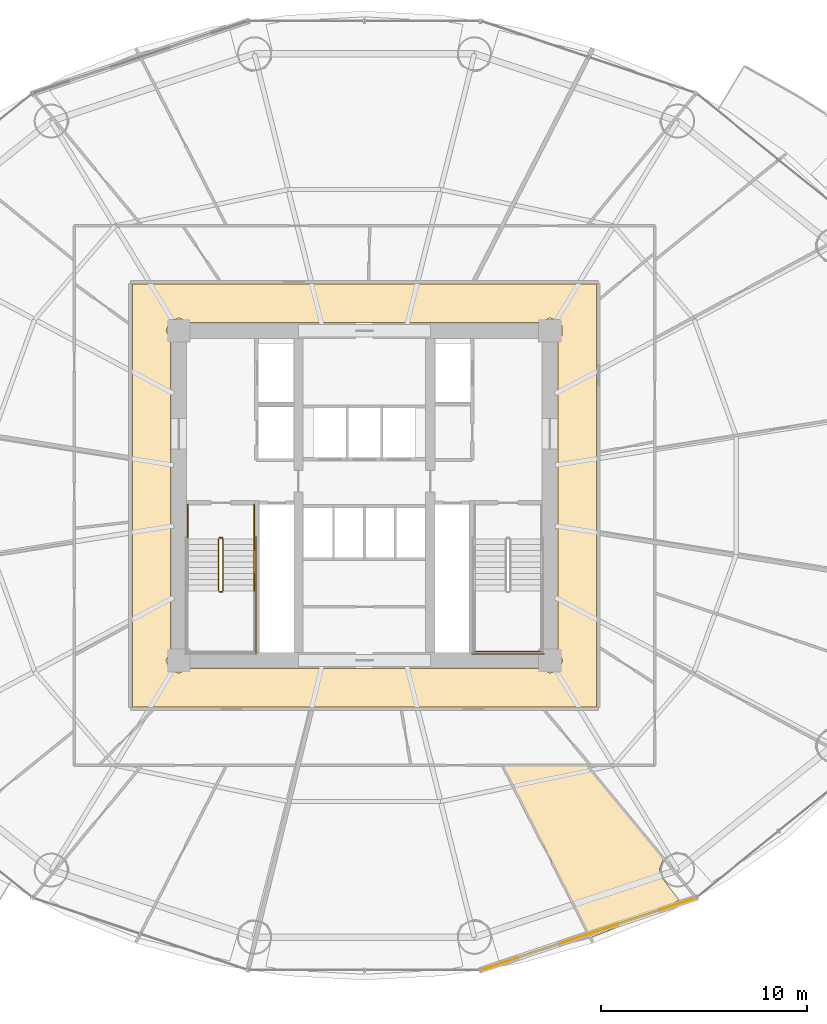
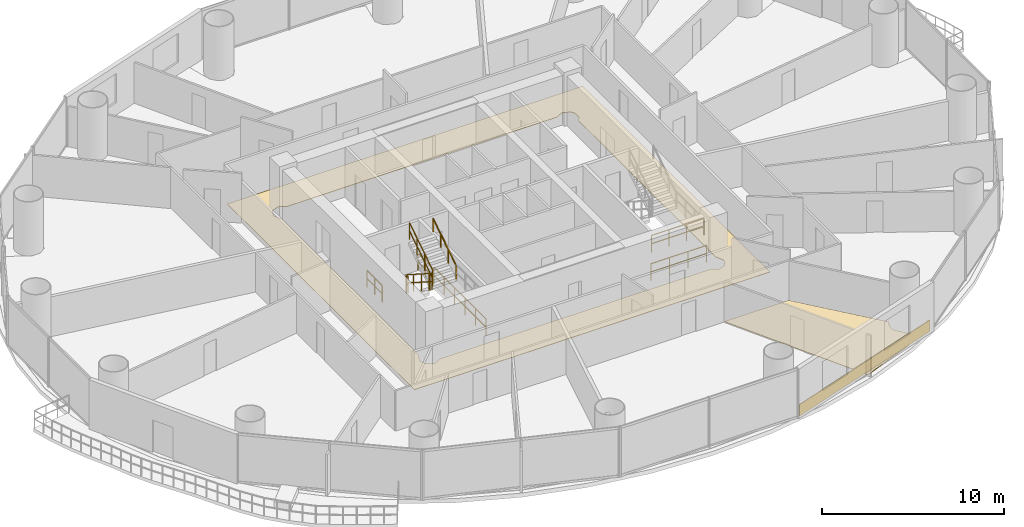
# One storey, part 28 of 30: 10 railings, 3 coverings.
"""IFC4 building model written with IfcOpenShell, lengths in metres."""

from ifc_helpers import new_model, si_unit, direction, frame, origin, origin_2d, place, context, subcontext, project, spatial, polyline, rectangle, outline, extrude, source, transform, mapped, material, layer, layer_set, type_object, element, save


model = new_model("IFC4")

# Units and contexts
model_context = context("Model", 3, precision=1e-05, world=origin(), true_north=direction((-0.2419218956, 0.970295726276)))
body_context = subcontext(model_context, "Body", "Model", "MODEL_VIEW")
ifc_project = project(units=[si_unit("LENGTHUNIT", "METRE"), si_unit("AREAUNIT", "SQUARE_METRE"), si_unit("VOLUMEUNIT", "CUBIC_METRE"), si_unit("PLANEANGLEUNIT", "RADIAN"), si_unit("MASSUNIT", "GRAM", prefix="KILO")], contexts=[model_context])

# Site, building, storey
site_placement = place(None, origin())
site = spatial("IfcSite", under=ifc_project, at=site_placement, CompositionType="ELEMENT")
building_placement = place(site_placement, origin())
building = spatial("IfcBuilding", under=site, at=building_placement, Name="Cobrevalo Terracotta Tower", CompositionType="ELEMENT")
storey_placement = place(building_placement, frame((0.0, 0.0, 31.199951171875)))
storey = spatial("IfcBuildingStorey", under=building, at=storey_placement, Name="L07", CompositionType="ELEMENT", Elevation=31.199951171875)

# Coverings
ifc_material_1 = material(Name="Engineered Brazilian hardwood flooring", Category="wood")
ifc_layer_1 = layer(ifc_material_1, 0.028076171875)
ifc_layer_set_1 = layer_set([ifc_layer_1], Name="Engineered Brazilian hardwood flooring")
covering_type_1 = type_object("IfcCoveringType", Name="Engineered Hardwood Suite Flooring 28", PredefinedType="FLOORING", material=ifc_layer_set_1)
covering_1_placement = place(storey_placement, origin())
element("IfcCovering", 1, at=covering_1_placement, inside=storey, type_object=covering_type_1, Name="Flat L07D Master Bedroom floor finish", PredefinedType="FLOORING", context=body_context, shape_type="SweptSolid", body=[
    extrude(outline(polyline([(48.9873046875, 5.3486328125), (44.72119140625, 13.695068359375), (48.780029296875, 13.695068359375), (52.5048828125, 9.177490234375), (52.318115234375, 8.71044921875), (52.35498046875, 8.369140625), (53.26318359375, 7.178955078125), (52.361572265625, 6.691650390625), (48.9873046875, 5.3486328125)])), origin(), (0.0, 0.0, 1.0), 0.030029296875),
])
ifc_material_2 = material(Name="Honed terracotta and granite tile", Category="masonry")
ifc_layer_2 = layer(ifc_material_2, 0.034912109375)
ifc_layer_set_2 = layer_set([ifc_layer_2], Name="Honed terracotta and granite tile")
covering_type_2 = type_object("IfcCoveringType", Name="Honed Terracotta & Granite Interior Flooring 35", PredefinedType="FLOORING", material=ifc_layer_set_2)
covering_2_placement = place(storey_placement, origin())
element("IfcCovering", 2, at=covering_2_placement, inside=storey, type_object=covering_type_2, Name="L07 Residential Floor Corridor floor finish", PredefinedType="FLOORING", context=body_context, shape_type="SweptSolid", body=[
    extrude(outline(polyline([(49.2548828125, 37.054931640625), (49.2548828125, 16.544921875), (26.7451171875, 16.544921875), (26.7451171875, 37.054931640625), (49.2548828125, 37.054931640625)]), holes=[polyline([(47.39501953125, 34.33203125), (47.5732421875, 34.5625), (47.5732421875, 35.037353515625), (47.438720703125, 35.23876953125), (47.0, 35.42041015625), (46.5322265625, 35.195068359375), (29.4677734375, 35.195068359375), (29.0, 35.42041015625), (28.561279296875, 35.23876953125), (28.379638671875, 34.800048828125), (28.60498046875, 34.33203125), (28.60498046875, 19.267822265625), (28.379638671875, 18.800048828125), (28.561279296875, 18.361328125), (29.0, 18.1796875), (29.4677734375, 18.405029296875), (46.5322265625, 18.405029296875), (47.0, 18.1796875), (47.438720703125, 18.361328125), (47.620361328125, 18.800048828125), (47.39501953125, 19.267822265625), (47.39501953125, 34.33203125)])]), origin(), (0.0, 0.0, 1.0), 0.030029296875),
])

# Railings
ifc_material_3 = material(Name="Brushed stainless steel", Category="steel")
railing_type_1 = type_object("IfcRailingType", Name="Stainless Steel Stair Handrail 900", PredefinedType="HANDRAIL", material=ifc_material_3)
railing_1_placement = place(storey_placement, frame((32.64501953125, 22.179931640625, 1.97998046875)))
element("IfcRailing", 3, at=railing_1_placement, inside=storey, type_object=railing_type_1, Name="L07 ST-1 stair handrail 2", PredefinedType="HANDRAIL", context=body_context, shape_type="SweptSolid", body=[
    extrude(rectangle(XDim=0.048095703125, YDim=0.048095703125, at=origin_2d()), frame((0.0, 0.0, 0.8759765625), z_axis=(0.0, 0.841162588446, 0.540782303519), x_axis=(-1.0, 0.0, 0.0)), (0.0, 0.0, 1.0), 2.995849609375),
    extrude(rectangle(XDim=0.0419921875, YDim=0.0419921875, at=origin_2d()), origin(), (0.0, 0.0, 1.0), 0.851806640625),
    extrude(rectangle(XDim=0.0419921875, YDim=0.0419921875, at=origin_2d()), frame((0.0, 0.840087890625, 0.5400390625)), (0.0, 0.0, 1.0), 0.851806640625),
    extrude(rectangle(XDim=0.0419921875, YDim=0.0419921875, at=origin_2d()), frame((0.0, 1.679931640625, 1.080078125)), (0.0, 0.0, 1.0), 0.851806640625),
    extrude(rectangle(XDim=0.0419921875, YDim=0.0419921875, at=origin_2d()), frame((0.0, 2.52001953125, 1.6201171875)), (0.0, 0.0, 1.0), 0.851806640625),
])
ifc_material_4 = material(Name="Painted galvanized steel", Category="steel")
railing_type_2 = type_object("IfcRailingType", Name="Stair Well Guard Balustrade 1150", PredefinedType="GUARDRAIL", material=ifc_material_4)
railing_2_placement = place(storey_placement, frame((30.925048828125, 24.699951171875, 0.179931640625)))
element("IfcRailing", 4, at=railing_2_placement, inside=storey, type_object=railing_type_2, Name="L07 ST-1 stair guard 1", PredefinedType="GUARDRAIL", context=body_context, shape_type="SweptSolid", body=[
    extrude(rectangle(XDim=0.048095703125, YDim=0.048095703125, at=origin_2d()), frame((0.0, 0.0, 1.1259765625), z_axis=(0.0, -0.841162588446, 0.540782303519), x_axis=(1.0, 0.0, 0.0)), (0.0, 0.0, 1.0), 2.995849609375),
    extrude(rectangle(XDim=0.048095703125, YDim=0.048095703125, at=origin_2d()), frame((0.0, 0.0, 0.574951171875), z_axis=(0.0, -0.841162588446, 0.540782303519), x_axis=(1.0, 0.0, 0.0)), (0.0, 0.0, 1.0), 2.995849609375),
    extrude(rectangle(XDim=0.0419921875, YDim=0.0419921875, at=origin_2d()), origin(), (0.0, 0.0, 1.0), 1.101806640625),
    extrude(rectangle(XDim=0.0419921875, YDim=0.0419921875, at=origin_2d()), frame((0.0, -0.840087890625, 0.5400390625)), (0.0, 0.0, 1.0), 1.101806640625),
    extrude(rectangle(XDim=0.0419921875, YDim=0.0419921875, at=origin_2d()), frame((0.0, -1.679931640625, 1.080078125)), (0.0, 0.0, 1.0), 1.101806640625),
    extrude(rectangle(XDim=0.0419921875, YDim=0.0419921875, at=origin_2d()), frame((0.0, -2.52001953125, 1.6201171875)), (0.0, 0.0, 1.0), 1.101806640625),
])
railing_3_placement = place(storey_placement, frame((30.97509765625, 22.1298828125, 1.800048828125)))
element("IfcRailing", 5, at=railing_3_placement, inside=storey, type_object=railing_type_2, Name="L07 ST-1 stair guard 2", PredefinedType="GUARDRAIL", context=body_context, shape_type="SweptSolid", body=[
    extrude(rectangle(XDim=0.048095703125, YDim=0.048095703125, at=origin_2d()), frame((0.0, 0.0, 1.1259765625), z_axis=(1.0, 0.0, 0.0), x_axis=(0.0, 1.0, 0.0)), (0.0, 0.0, 1.0), 0.119873046875),
    extrude(rectangle(XDim=0.048095703125, YDim=0.048095703125, at=origin_2d()), frame((0.0, 0.0, 0.574951171875), z_axis=(1.0, 0.0, 0.0), x_axis=(0.0, 1.0, 0.0)), (0.0, 0.0, 1.0), 0.119873046875),
    extrude(rectangle(XDim=0.0419921875, YDim=0.0419921875, at=origin_2d()), origin(), (0.0, 0.0, 1.0), 1.101806640625),
    extrude(rectangle(XDim=0.0419921875, YDim=0.0419921875, at=origin_2d()), frame((0.119873046875, 0.0, 0.0)), (0.0, 0.0, 1.0), 1.101806640625),
])
railing_4_placement = place(storey_placement, frame((31.14501953125, 22.179931640625, 1.97998046875)))
element("IfcRailing", 6, at=railing_4_placement, inside=storey, type_object=railing_type_2, Name="L07 ST-1 stair guard 6", PredefinedType="GUARDRAIL", context=body_context, shape_type="SweptSolid", body=[
    extrude(rectangle(XDim=0.048095703125, YDim=0.048095703125, at=origin_2d()), frame((0.0, 0.0, 1.1259765625), z_axis=(0.0, 0.841162588446, 0.540782303519), x_axis=(-1.0, 0.0, 0.0)), (0.0, 0.0, 1.0), 2.995849609375),
    extrude(rectangle(XDim=0.048095703125, YDim=0.048095703125, at=origin_2d()), frame((0.0, 0.0, 0.574951171875), z_axis=(0.0, 0.841162588446, 0.540782303519), x_axis=(-1.0, 0.0, 0.0)), (0.0, 0.0, 1.0), 2.995849609375),
    extrude(rectangle(XDim=0.0419921875, YDim=0.0419921875, at=origin_2d()), origin(), (0.0, 0.0, 1.0), 1.101806640625),
    extrude(rectangle(XDim=0.0419921875, YDim=0.0419921875, at=origin_2d()), frame((0.0, 0.840087890625, 0.5400390625)), (0.0, 0.0, 1.0), 1.101806640625),
    extrude(rectangle(XDim=0.0419921875, YDim=0.0419921875, at=origin_2d()), frame((0.0, 1.679931640625, 1.080078125)), (0.0, 0.0, 1.0), 1.101806640625),
    extrude(rectangle(XDim=0.0419921875, YDim=0.0419921875, at=origin_2d()), frame((0.0, 2.52001953125, 1.6201171875)), (0.0, 0.0, 1.0), 1.101806640625),
])
railing_5_placement = place(storey_placement, frame((30.97509765625, 24.75, 0.0)))
element("IfcRailing", 7, at=railing_5_placement, inside=storey, type_object=railing_type_2, Name="L07 ST-1 stair guard 7", PredefinedType="GUARDRAIL", context=body_context, shape_type="SweptSolid", body=[
    extrude(rectangle(XDim=0.048095703125, YDim=0.048095703125, at=origin_2d()), frame((0.0, 0.0, 1.1259765625), z_axis=(1.0, 0.0, 0.0), x_axis=(0.0, 1.0, 0.0)), (0.0, 0.0, 1.0), 0.119873046875),
    extrude(rectangle(XDim=0.048095703125, YDim=0.048095703125, at=origin_2d()), frame((0.0, 0.0, 0.574951171875), z_axis=(1.0, 0.0, 0.0), x_axis=(0.0, 1.0, 0.0)), (0.0, 0.0, 1.0), 0.119873046875),
    extrude(rectangle(XDim=0.0419921875, YDim=0.0419921875, at=origin_2d()), origin(), (0.0, 0.0, 1.0), 1.101806640625),
    extrude(rectangle(XDim=0.0419921875, YDim=0.0419921875, at=origin_2d()), frame((0.119873046875, 0.0, 0.0)), (0.0, 0.0, 1.0), 1.101806640625),
])
for number, where, name in (
    (8, (29.425048828125, 26.35009765625, 0.0), "L07 ST-1 stair guard 8"),
    (9, (32.64501953125, 26.35009765625, 0.0), "L07 ST-1 stair guard 9"),
):
    element("IfcRailing", number, at=place(storey_placement, frame(where)), inside=storey, type_object=railing_type_2, Name=name, PredefinedType="GUARDRAIL", context=body_context, shape_type="SweptSolid", body=[
        extrude(rectangle(XDim=0.048095703125, YDim=0.048095703125, at=origin_2d()), frame((0.0, 0.0, 1.1259765625), z_axis=(0.0, -1.0, 0.0), x_axis=(1.0, 0.0, 0.0)), (0.0, 0.0, 1.0), 1.650146484375),
        extrude(rectangle(XDim=0.048095703125, YDim=0.048095703125, at=origin_2d()), frame((0.0, 0.0, 0.574951171875), z_axis=(0.0, -1.0, 0.0), x_axis=(1.0, 0.0, 0.0)), (0.0, 0.0, 1.0), 1.650146484375),
        extrude(rectangle(XDim=0.0419921875, YDim=0.0419921875, at=origin_2d()), origin(), (0.0, 0.0, 1.0), 1.101806640625),
        extrude(rectangle(XDim=0.0419921875, YDim=0.0419921875, at=origin_2d()), frame((0.0, -0.8251953125, 0.0)), (0.0, 0.0, 1.0), 1.101806640625),
        extrude(rectangle(XDim=0.0419921875, YDim=0.0419921875, at=origin_2d()), frame((0.0, -1.650146484375, 0.0)), (0.0, 0.0, 1.0), 1.101806640625),
    ])
railing_6_placement = place(storey_placement, frame((32.7451171875, 24.800048828125, 0.0)))
element("IfcRailing", 10, at=railing_6_placement, inside=storey, type_object=railing_type_2, Name="L07 ST-1 stair guard 11", PredefinedType="GUARDRAIL", context=body_context, shape_type="SweptSolid", body=[
    extrude(rectangle(XDim=0.048095703125, YDim=0.048095703125, at=origin_2d()), frame((0.0, 0.0, 1.1259765625), z_axis=(0.0, -1.0, 0.0), x_axis=(1.0, 0.0, 0.0)), (0.0, 0.0, 1.0), 5.72509765625),
    extrude(rectangle(XDim=0.048095703125, YDim=0.048095703125, at=origin_2d()), frame((0.0, 0.0, 0.574951171875), z_axis=(0.0, -1.0, 0.0), x_axis=(1.0, 0.0, 0.0)), (0.0, 0.0, 1.0), 5.72509765625),
    extrude(rectangle(XDim=0.0419921875, YDim=0.0419921875, at=origin_2d()), origin(), (0.0, 0.0, 1.0), 1.101806640625),
    extrude(rectangle(XDim=0.0419921875, YDim=0.0419921875, at=origin_2d()), frame((0.0, -1.14501953125, 0.0)), (0.0, 0.0, 1.0), 1.101806640625),
    extrude(rectangle(XDim=0.0419921875, YDim=0.0419921875, at=origin_2d()), frame((0.0, -2.2900390625, 0.0)), (0.0, 0.0, 1.0), 1.101806640625),
    extrude(rectangle(XDim=0.0419921875, YDim=0.0419921875, at=origin_2d()), frame((0.0, -3.43505859375, 0.0)), (0.0, 0.0, 1.0), 1.101806640625),
    extrude(rectangle(XDim=0.0419921875, YDim=0.0419921875, at=origin_2d()), frame((0.0, -4.580078125, 0.0)), (0.0, 0.0, 1.0), 1.101806640625),
    extrude(rectangle(XDim=0.0419921875, YDim=0.0419921875, at=origin_2d()), frame((0.0, -5.72509765625, 0.0)), (0.0, 0.0, 1.0), 1.101806640625),
])
railing_7_placement = place(storey_placement, frame((43.304931640625, 19.22509765625, 1.800048828125)))
element("IfcRailing", 11, at=railing_7_placement, inside=storey, type_object=railing_type_2, Name="L07 ST-2 stair guard 5", PredefinedType="GUARDRAIL", context=body_context, shape_type="SweptSolid", body=[
    extrude(rectangle(XDim=0.048095703125, YDim=0.048095703125, at=origin_2d()), frame((0.0, 0.0, 1.1259765625), z_axis=(1.0, 0.0, 0.0), x_axis=(0.0, 1.0, 0.0)), (0.0, 0.0, 1.0), 3.320068359375),
    extrude(rectangle(XDim=0.048095703125, YDim=0.048095703125, at=origin_2d()), frame((0.0, 0.0, 0.574951171875), z_axis=(1.0, 0.0, 0.0), x_axis=(0.0, 1.0, 0.0)), (0.0, 0.0, 1.0), 3.320068359375),
    extrude(rectangle(XDim=0.0419921875, YDim=0.0419921875, at=origin_2d()), origin(), (0.0, 0.0, 1.0), 1.101806640625),
    extrude(rectangle(XDim=0.0419921875, YDim=0.0419921875, at=origin_2d()), frame((1.106689453125, 0.0, 0.0)), (0.0, 0.0, 1.0), 1.101806640625),
    extrude(rectangle(XDim=0.0419921875, YDim=0.0419921875, at=origin_2d()), frame((2.21337890625, 0.0, 0.0)), (0.0, 0.0, 1.0), 1.101806640625),
    extrude(rectangle(XDim=0.0419921875, YDim=0.0419921875, at=origin_2d()), frame((3.320068359375, 0.0, 0.0)), (0.0, 0.0, 1.0), 1.101806640625),
])
railing_8_placement = place(storey_placement, frame((43.205078125, 19.125, 0.0)))
element("IfcRailing", 12, at=railing_8_placement, inside=storey, type_object=railing_type_2, Name="L07 ST-2 stair guard 12", PredefinedType="GUARDRAIL", context=body_context, shape_type="SweptSolid", body=[
    extrude(rectangle(XDim=0.048095703125, YDim=0.048095703125, at=origin_2d()), frame((0.0, 0.0, 1.1259765625), z_axis=(1.0, 0.0, 0.0), x_axis=(0.0, 1.0, 0.0)), (0.0, 0.0, 1.0), 3.52001953125),
    extrude(rectangle(XDim=0.048095703125, YDim=0.048095703125, at=origin_2d()), frame((0.0, 0.0, 0.574951171875), z_axis=(1.0, 0.0, 0.0), x_axis=(0.0, 1.0, 0.0)), (0.0, 0.0, 1.0), 3.52001953125),
    extrude(rectangle(XDim=0.0419921875, YDim=0.0419921875, at=origin_2d()), origin(), (0.0, 0.0, 1.0), 1.101806640625),
    extrude(rectangle(XDim=0.0419921875, YDim=0.0419921875, at=origin_2d()), frame((1.17333984375, 0.0, 0.0)), (0.0, 0.0, 1.0), 1.101806640625),
    extrude(rectangle(XDim=0.0419921875, YDim=0.0419921875, at=origin_2d()), frame((2.3466796875, 0.0, 0.0)), (0.0, 0.0, 1.0), 1.101806640625),
    extrude(rectangle(XDim=0.0419921875, YDim=0.0419921875, at=origin_2d()), frame((3.52001953125, 0.0, 0.0)), (0.0, 0.0, 1.0), 1.101806640625),
])

# Covering
ifc_material_5 = material(Name="Glazed terracotta facade cladding tile", Category="masonry")
ifc_layer_3 = layer(ifc_material_5, 0.044921875)
ifc_layer_set_3 = layer_set([ifc_layer_3], Name="Glazed terracotta facade cladding tile")
covering_type_3 = type_object("IfcCoveringType", Name="Architectural terracotta rainscreen spandrel cladding 45 mm", PredefinedType="CLADDING", material=ifc_layer_set_3)
shared_shape = source(origin(), body_context, "Body", "SweptSolid", [
    extrude(rectangle(XDim=10.8154296875, YDim=0.044921875, at=origin_2d()), origin(), (0.0, 0.0, 1.0), 0.760009765625),
])
covering_3_placement = place(storey_placement, frame((48.873291015625, 5.533203125, 0.0400390625), z_axis=(0.0, 0.0, 1.0), x_axis=(0.948044172593, 0.318138722592, 0.0)))
element("IfcCovering", 13, at=covering_3_placement, inside=storey, type_object=covering_type_3, Name="L07 terracotta spandrel cladding S13", PredefinedType="CLADDING", context=body_context, shape_type="MappedRepresentation", body=[
    mapped(shared_shape, transform((0.0, 0.0, 0.0), scale=1.0)),
])

save(model, "model.ifc")
